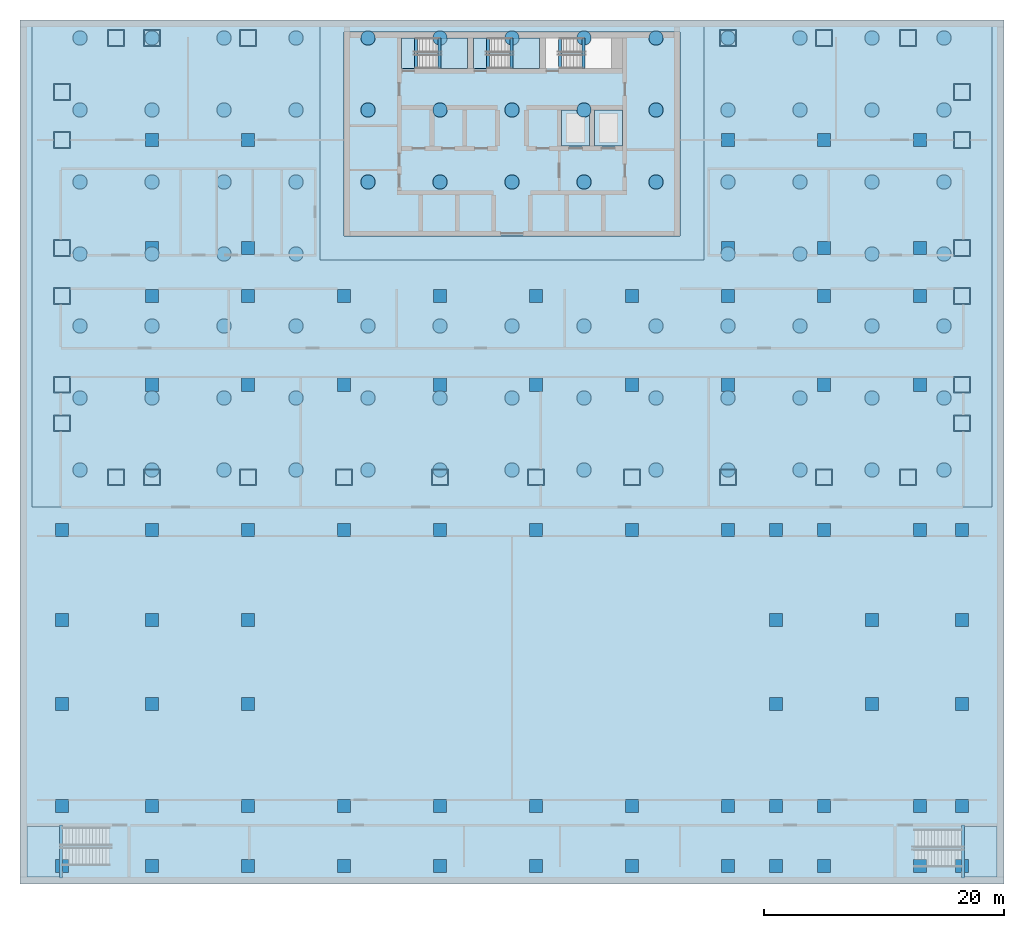
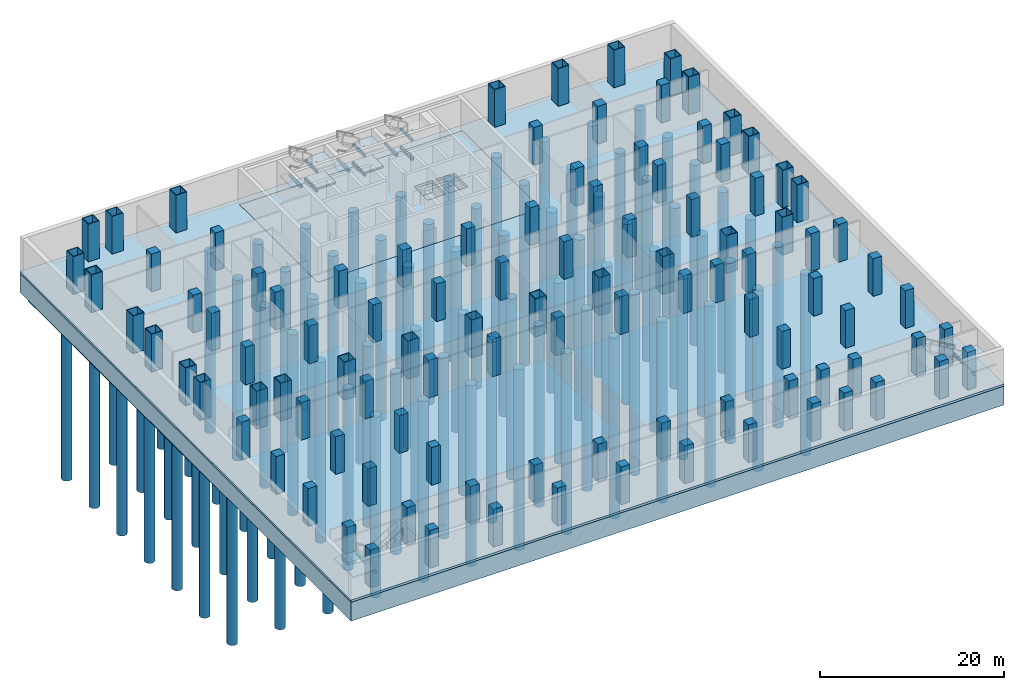
# One storey, part 1 of 14: 104 columns, 86 piles, 11 beams, 10 slabs, 4 footings, 4 elements without a shape of their own.
"""IFC4 building model written with IfcOpenShell, lengths in metres."""

import ifcopenshell
import ifcopenshell.guid

model = None  # the IFC model being written
_history = None  # IfcOwnerHistory: only IFC2X3 demands one
_inside = {}  # id of a spatial element -> (the spatial element, [elements in it])
_under = {}  # id of a project, library or spatial element -> (it, [spatial elements below it])
_declared = {}  # id of a project -> (the project, [libraries it declares])
_typed = {}  # id of a type object -> (the type object, [elements of that type])
_made_of = {}  # id of a material, layer set ... -> (it, [elements and type objects made of it])


def new_model(schema):
    """Start an empty IFC model of exactly this schema.

    Asked for "IFC4X3", IfcOpenShell would pick the latest addendum, in which some entities
    have other attributes; the version numbers below select the first issue.
    IFC2X3 requires an IfcOwnerHistory on every rooted entity: one is made here for all.
    """
    global model, _history
    if schema == "IFC4X3":
        model = ifcopenshell.file(schema_version=(4, 3, 0, 0))
    else:
        model = ifcopenshell.file(schema=schema)
    _inside.clear()
    _under.clear()
    _declared.clear()
    _typed.clear()
    _made_of.clear()
    _history = None
    if model.schema == "IFC2X3":
        org = make("IfcOrganization", Name="unknown")
        user = make(
            "IfcPersonAndOrganization",
            ThePerson=make("IfcPerson", FamilyName="unknown"),
            TheOrganization=org,
        )
        app = make(
            "IfcApplication",
            ApplicationDeveloper=org,
            Version="unknown",
            ApplicationFullName="unknown",
            ApplicationIdentifier="unknown",
        )
        _history = make(
            "IfcOwnerHistory",
            OwningUser=user,
            OwningApplication=app,
            ChangeAction="ADDED",
            CreationDate=0,
        )
    return model


def make(cls, **values):
    """One entity of the class cls with the attributes given. An attribute that is None is left unset."""
    return model.create_entity(
        cls, **{name: value for name, value in values.items() if value is not None}
    )


def rooted(cls, **values):
    """An entity with a GlobalId (a new one), such as an element, a storey or a relation."""
    return make(cls, GlobalId=ifcopenshell.guid.new(), OwnerHistory=_history, **values)


def si_unit(unit_type, name, prefix=None):
    """IfcSIUnit, for example si_unit("LENGTHUNIT", "METRE", prefix="MILLI")."""
    return make("IfcSIUnit", UnitType=unit_type, Prefix=prefix, Name=name)


def assignment(units):
    """IfcUnitAssignment: the units of a project."""
    return None if units is None else make("IfcUnitAssignment", Units=units)


def point(xyz):
    """IfcCartesianPoint."""
    return None if xyz is None else make("IfcCartesianPoint", Coordinates=xyz)


def direction(xyz):
    """IfcDirection."""
    return None if xyz is None else make("IfcDirection", DirectionRatios=xyz)


def frame(location, z_axis=None, x_axis=None):
    """IfcAxis2Placement3D, a coordinate frame: its origin and axes. An axis left out is left unset."""
    return make(
        "IfcAxis2Placement3D",
        Location=point(location),
        Axis=direction(z_axis),
        RefDirection=direction(x_axis),
    )


def frame_2d(location, x_axis=None):
    """IfcAxis2Placement2D, a coordinate frame in the plane: its origin and x axis."""
    return make(
        "IfcAxis2Placement2D", Location=point(location), RefDirection=direction(x_axis)
    )


def origin():
    """The frame at (0, 0, 0) with its axes left unset."""
    return frame((0.0, 0.0, 0.0))


def origin_2d():
    """The frame at (0, 0) in the plane with its x axis left unset."""
    return frame_2d((0.0, 0.0))


def place(relative_to, where):
    """IfcLocalPlacement: puts the frame where relative to a parent placement (None: the world)."""
    return make(
        "IfcLocalPlacement", PlacementRelTo=relative_to, RelativePlacement=where
    )


def context(
    kind, dimensions, precision=None, world=None, true_north=None, identifier=None
):
    """IfcGeometricRepresentationContext, for example the 3D "Model" context."""
    return make(
        "IfcGeometricRepresentationContext",
        ContextIdentifier=identifier,
        ContextType=kind,
        CoordinateSpaceDimension=dimensions,
        Precision=precision,
        WorldCoordinateSystem=world,
        TrueNorth=true_north,
    )


def subcontext(parent, identifier, kind, view, scale=None):
    """IfcGeometricRepresentationSubContext, for example "Body" below "Model"."""
    return make(
        "IfcGeometricRepresentationSubContext",
        ContextIdentifier=identifier,
        ContextType=kind,
        ParentContext=parent,
        TargetScale=scale,
        TargetView=view,
    )


def project(units=None, contexts=None):
    """IfcProject with its units and contexts."""
    return rooted(
        "IfcProject",
        Name="project",
        RepresentationContexts=contexts,
        UnitsInContext=assignment(units),
    )


def spatial(cls, under=None, at=None, **own):
    """A site, building, storey or space (cls), placed at a placement, below another one or the project."""
    s = rooted(cls, ObjectPlacement=at, **own)
    if under is not None:
        _under.setdefault(under.id(), (under, []))[1].append(s)
    return s


def polyline(points):
    """IfcPolyline through the points."""
    return make("IfcPolyline", Points=[point(p) for p in points])


def profile(cls, at=None, kind="AREA", **sizes):
    """A parametric profile (cls). Its sizes go by their IFC names, for example OverallWidth=200.0."""
    return make(cls, ProfileType=kind, Position=at, **sizes)


def rectangle(**sizes):
    """IfcRectangleProfileDef."""
    return profile("IfcRectangleProfileDef", **sizes)


def hollow_rectangle(**sizes):
    """IfcRectangleHollowProfileDef."""
    return profile("IfcRectangleHollowProfileDef", **sizes)


def circle(**sizes):
    """IfcCircleProfileDef."""
    return profile("IfcCircleProfileDef", **sizes)


def outline(outer, holes=None, kind="AREA"):
    """IfcArbitraryClosedProfileDef: a profile drawn as a closed curve; with holes, ...WithVoids."""
    if holes is None:
        return make("IfcArbitraryClosedProfileDef", ProfileType=kind, OuterCurve=outer)
    return make(
        "IfcArbitraryProfileDefWithVoids",
        ProfileType=kind,
        OuterCurve=outer,
        InnerCurves=holes,
    )


def extrude(swept, where, along, depth):
    """IfcExtrudedAreaSolid: the profile swept, set in the frame where, extruded along a direction by depth."""
    return make(
        "IfcExtrudedAreaSolid",
        SweptArea=swept,
        Position=where,
        ExtrudedDirection=direction(along),
        Depth=depth,
    )


def shape(context_of_items, identifier, shape_type, items):
    """IfcShapeRepresentation: the items that make up one representation, for example the "Body"."""
    return make(
        "IfcShapeRepresentation",
        ContextOfItems=context_of_items,
        RepresentationIdentifier=identifier,
        RepresentationType=shape_type,
        Items=items,
    )


def material(Name=None, Category=None):
    """IfcMaterial."""
    return make("IfcMaterial", Name=Name, Category=Category)


def layer(
    of_material, thickness, ventilated=None, Name=None, Category=None, Priority=None
):
    """IfcMaterialLayer: one layer of a wall or slab, of a material (None: an air gap)."""
    return make(
        "IfcMaterialLayer",
        Material=of_material,
        LayerThickness=thickness,
        IsVentilated=ventilated,
        Name=Name,
        Category=Category,
        Priority=Priority,
    )


def layer_set(layers, Name=None):
    """IfcMaterialLayerSet."""
    return make("IfcMaterialLayerSet", MaterialLayers=layers, LayerSetName=Name)


def material_profile(
    of_material, cross_section, Name=None, Category=None, Priority=None
):
    """IfcMaterialProfile: a cross section and its material."""
    return make(
        "IfcMaterialProfile",
        Name=Name,
        Material=of_material,
        Profile=cross_section,
        Priority=Priority,
        Category=Category,
    )


def profile_set(profiles, Name=None, composite=None):
    """IfcMaterialProfileSet."""
    return make(
        "IfcMaterialProfileSet",
        Name=Name,
        MaterialProfiles=profiles,
        CompositeProfile=composite,
    )


def made_of(thing, what):
    """Note that an element or type object is made of a material, layer set ...; save() writes the relation."""
    if what is not None:
        _made_of.setdefault(what.id(), (what, []))[1].append(thing)
    return thing


def type_object(cls, material=None, **own):
    """A type object (cls), such as IfcWallType, which elements share."""
    return made_of(rooted(cls, **own), material)


def element(
    cls,
    number,
    at=None,
    inside=None,
    cuts=None,
    type_object=None,
    material=None,
    context=None,
    identifier="Body",
    shape_type=None,
    held_by="IfcProductDefinitionShape",
    body=None,
    shapes=None,
    **own,
):
    """One element of the class cls, such as IfcWall. Its Tag is "e" and its number.

    at: its placement. inside: the storey or other place that contains it. cuts: it is an
    opening in that element (IfcRelVoidsElement). A single representation is given by context,
    identifier, shape_type and body (its items); several are given by shapes. held_by: the class
    of the entity that holds the representations. save() writes the other relations.
    """
    e = rooted(cls, Tag="e%d" % number, ObjectPlacement=at, **own)
    if body is not None:
        shapes = [shape(context, identifier, shape_type, body)]
    if shapes is not None:
        e.Representation = make(held_by, Representations=shapes)
    if inside is not None:
        _inside.setdefault(inside.id(), (inside, []))[1].append(e)
    if cuts is not None:
        rooted(
            "IfcRelVoidsElement", RelatingBuildingElement=cuts, RelatedOpeningElement=e
        )
    if type_object is not None:
        _typed.setdefault(type_object.id(), (type_object, []))[1].append(e)
    return made_of(e, material)


def aggregate(whole, parts):
    """IfcRelAggregates: a whole, such as a stair, and the parts it consists of."""
    return rooted("IfcRelAggregates", RelatingObject=whole, RelatedObjects=parts)


def save(model, path):
    """Write the relations noted so far, then the file.

    IfcRelAggregates (storeys below a building ...), IfcRelContainedInSpatialStructure (elements
    in a storey), IfcRelDefinesByType, IfcRelAssociatesMaterial and IfcRelDeclares: one each for
    every whole, place, type object, material and project.
    """
    for whole, parts in _under.values():
        aggregate(whole, parts)
    for where, things in _inside.values():
        rooted(
            "IfcRelContainedInSpatialStructure",
            RelatedElements=things,
            RelatingStructure=where,
        )
    for kind, things in _typed.values():
        rooted("IfcRelDefinesByType", RelatedObjects=things, RelatingType=kind)
    for what, things in _made_of.values():
        rooted("IfcRelAssociatesMaterial", RelatedObjects=things, RelatingMaterial=what)
    for by, libraries in _declared.values():
        rooted("IfcRelDeclares", RelatingContext=by, RelatedDefinitions=libraries)
    model.write(path)


model = new_model("IFC4")

# Units and contexts
model_context = context("Model", 3, precision=1e-05, world=origin(), true_north=direction((0.0, 1.0)))
body_context = subcontext(model_context, "Body", "Model", "MODEL_VIEW")
ifc_project = project(units=[si_unit("LENGTHUNIT", "METRE"), si_unit("AREAUNIT", "SQUARE_METRE"), si_unit("VOLUMEUNIT", "CUBIC_METRE"), si_unit("PLANEANGLEUNIT", "RADIAN"), si_unit("MASSUNIT", "GRAM", prefix="KILO")], contexts=[model_context])

# Site, building, storey
site_placement = place(None, origin())
site = spatial("IfcSite", under=ifc_project, at=site_placement, CompositionType="ELEMENT")
building_placement = place(site_placement, origin())
building = spatial("IfcBuilding", under=site, at=building_placement, Name="Vidyagriha Tower", CompositionType="ELEMENT")
storey_placement = place(building_placement, frame((0.0, 0.0, -10.0)))
storey = spatial("IfcBuildingStorey", under=building, at=storey_placement, Name="B2", CompositionType="ELEMENT", Elevation=-10.0)

# Piles
ifc_material_1 = material(Name="Concrete C40/50", Category="concrete")
ifc_material_profile_1 = material_profile(ifc_material_1, circle(Radius=0.60009765625, at=origin_2d()), Name="Bored pile 1200")
ifc_profile_set_1 = profile_set([ifc_material_profile_1], Name="Concrete C40/50")
pile_type = type_object("IfcPileType", Name="Bored pile 1200", PredefinedType="BORED", material=ifc_profile_set_1)
for number, where, z_axis, x_axis, name in (
    (1, (-12.0, 7.5, -5.300048828125), (0.0, 0.0, -1.0), (1.0, 0.0, 0.0), "st-pile-core-001"),
    (2, (-12.0, 13.5, -5.300048828125), (0.0, 0.0, -1.0), (1.0, 0.0, 0.0), "st-pile-core-002"),
    (3, (-12.0, 19.5, -5.300048828125), (0.0, 0.0, -1.0), (1.0, 0.0, 0.0), "st-pile-core-003"),
    (4, (-6.0, 7.5, -5.300048828125), (0.0, 0.0, -1.0), (1.0, 0.0, 0.0), "st-pile-core-004"),
    (5, (-6.0, 13.5, -5.300048828125), (0.0, 0.0, -1.0), (1.0, 0.0, 0.0), "st-pile-core-005"),
    (6, (-6.0, 19.5, -5.300048828125), (0.0, 0.0, -1.0), (1.0, 0.0, 0.0), "st-pile-core-006"),
    (7, (0.0, 7.5, -5.300048828125), (0.0, 0.0, -1.0), (1.0, 0.0, 0.0), "st-pile-core-007"),
    (8, (0.0, 13.5, -5.300048828125), (0.0, 0.0, -1.0), (1.0, 0.0, 0.0), "st-pile-core-008"),
    (9, (0.0, 19.5, -5.300048828125), (0.0, 0.0, -1.0), (1.0, 0.0, 0.0), "st-pile-core-009"),
    (10, (6.0, 7.5, -5.300048828125), (0.0, 0.0, -1.0), (1.0, 0.0, 0.0), "st-pile-core-010"),
    (11, (6.0, 13.5, -5.300048828125), (0.0, 0.0, -1.0), (1.0, 0.0, 0.0), "st-pile-core-011"),
    (12, (6.0, 19.5, -5.300048828125), (0.0, 0.0, -1.0), (1.0, 0.0, 0.0), "st-pile-core-012"),
    (13, (12.0, 7.5, -5.300048828125), (0.0, 0.0, -1.0), (1.0, 0.0, 0.0), "st-pile-core-013"),
    (14, (12.0, 13.5, -5.300048828125), (0.0, 0.0, -1.0), (1.0, 0.0, 0.0), "st-pile-core-014"),
    (15, (12.0, 19.5, -5.300048828125), (0.0, 0.0, -1.0), (1.0, 0.0, 0.0), "st-pile-core-015"),
    (16, (-36.0, -16.5, -4.300048828125), (0.0, 0.0, -1.0), (1.0, 0.0, 0.0), "st-pile-tower-016"),
    (17, (-36.0, -10.5, -4.300048828125), (0.0, 0.0, -1.0), (1.0, 0.0, 0.0), "st-pile-tower-017"),
    (18, (-36.0, -4.5, -4.300048828125), (0.0, 0.0, -1.0), (1.0, 0.0, 0.0), "st-pile-tower-018"),
    (19, (-36.0, 1.5, -4.300048828125), (0.0, 0.0, -1.0), (1.0, 0.0, 0.0), "st-pile-tower-019"),
    (20, (-36.0, 7.5, -4.300048828125), (0.0, 0.0, -1.0), (1.0, 0.0, 0.0), "st-pile-tower-020"),
    (21, (-36.0, 13.5, -4.300048828125), (0.0, 0.0, -1.0), (1.0, 0.0, 0.0), "st-pile-tower-021"),
    (22, (-36.0, 19.5, -4.300048828125), (0.0, 0.0, -1.0), (1.0, 0.0, 0.0), "st-pile-tower-022"),
    (23, (-30.0, -16.5, -4.300048828125), (0.0, 0.0, -1.0), (1.0, 0.0, 0.0), "st-pile-tower-023"),
    (24, (-30.0, -10.5, -4.300048828125), (0.0, 0.0, -1.0), (1.0, 0.0, 0.0), "st-pile-tower-024"),
    (25, (-30.0, -4.5, -4.300048828125), (0.0, 0.0, -1.0), (1.0, 0.0, 0.0), "st-pile-tower-025"),
    (26, (-30.0, 1.5, -4.300048828125), (0.0, 0.0, -1.0), (1.0, 0.0, 0.0), "st-pile-tower-026"),
    (27, (-30.0, 7.5, -4.300048828125), (0.0, 0.0, -1.0), (1.0, 0.0, 0.0), "st-pile-tower-027"),
    (28, (-30.0, 13.5, -4.300048828125), (0.0, 0.0, -1.0), (1.0, 0.0, 0.0), "st-pile-tower-028"),
    (29, (-30.0, 19.5, -4.300048828125), (0.0, 0.0, -1.0), (1.0, 0.0, 0.0), "st-pile-tower-029"),
    (30, (-24.0, -16.5, -4.300048828125), (0.0, 0.0, -1.0), (1.0, 0.0, 0.0), "st-pile-tower-030"),
    (31, (-24.0, -10.5, -4.300048828125), (0.0, 0.0, -1.0), (1.0, 0.0, 0.0), "st-pile-tower-031"),
    (32, (-24.0, -4.5, -4.300048828125), (0.0, 0.0, -1.0), (1.0, 0.0, 0.0), "st-pile-tower-032"),
    (33, (-24.0, 1.5, -4.300048828125), (0.0, 0.0, -1.0), (1.0, 0.0, 0.0), "st-pile-tower-033"),
    (34, (-24.0, 7.5, -4.300048828125), (0.0, 0.0, -1.0), (1.0, 0.0, 0.0), "st-pile-tower-034"),
    (35, (-24.0, 13.5, -4.300048828125), (0.0, 0.0, -1.0), (1.0, 0.0, 0.0), "st-pile-tower-035"),
    (36, (-24.0, 19.5, -4.300048828125), (0.0, 0.0, -1.0), (1.0, 0.0, 0.0), "st-pile-tower-036"),
    (37, (-18.0, -16.5, -4.300048828125), (0.0, 0.0, -1.0), (1.0, 0.0, 0.0), "st-pile-tower-037"),
    (38, (-18.0, -10.5, -4.300048828125), (0.0, 0.0, -1.0), (1.0, 0.0, 0.0), "st-pile-tower-038"),
    (39, (-18.0, -4.5, -4.300048828125), (0.0, 0.0, -1.0), (1.0, 0.0, 0.0), "st-pile-tower-039"),
    (40, (-18.0, 1.5, -4.300048828125), (0.0, 0.0, -1.0), (1.0, 0.0, 0.0), "st-pile-tower-040"),
    (41, (-18.0, 7.5, -4.300048828125), (0.0, 0.0, -1.0), (1.0, 0.0, 0.0), "st-pile-tower-041"),
    (42, (-18.0, 13.5, -4.300048828125), (0.0, 0.0, -1.0), (1.0, 0.0, 0.0), "st-pile-tower-042"),
    (43, (-18.0, 19.5, -4.300048828125), (0.0, 0.0, -1.0), (1.0, 0.0, 0.0), "st-pile-tower-043"),
    (44, (-12.0, -16.5, -4.300048828125), (0.0, 0.0, -1.0), (1.0, 0.0, 0.0), "st-pile-tower-044"),
    (45, (-12.0, -10.5, -4.300048828125), (0.0, 0.0, -1.0), (1.0, 0.0, 0.0), "st-pile-tower-045"),
    (46, (-12.0, -4.5, -4.300048828125), (0.0, 0.0, -1.0), (1.0, 0.0, 0.0), "st-pile-tower-046"),
    (47, (-6.0, -16.5, -4.300048828125), (0.0, 0.0, -1.0), (1.0, 0.0, 0.0), "st-pile-tower-047"),
    (48, (-6.0, -10.5, -4.300048828125), (0.0, 0.0, -1.0), (1.0, 0.0, 0.0), "st-pile-tower-048"),
    (49, (-6.0, -4.5, -4.300048828125), (0.0, 0.0, -1.0), (1.0, 0.0, 0.0), "st-pile-tower-049"),
    (50, (0.0, -16.5, -4.300048828125), (0.0, 0.0, -1.0), (1.0, 0.0, 0.0), "st-pile-tower-050"),
    (51, (0.0, -10.5, -4.300048828125), (0.0, 0.0, -1.0), (1.0, 0.0, 0.0), "st-pile-tower-051"),
    (52, (0.0, -4.5, -4.300048828125), (0.0, 0.0, -1.0), (1.0, 0.0, 0.0), "st-pile-tower-052"),
    (53, (6.0, -16.5, -4.300048828125), (0.0, 0.0, -1.0), (1.0, 0.0, 0.0), "st-pile-tower-053"),
    (54, (6.0, -10.5, -4.300048828125), (0.0, 0.0, -1.0), (1.0, 0.0, 0.0), "st-pile-tower-054"),
    (55, (6.0, -4.5, -4.300048828125), (0.0, 0.0, -1.0), (1.0, 0.0, 0.0), "st-pile-tower-055"),
    (56, (12.0, -16.5, -4.300048828125), (0.0, 0.0, -1.0), (1.0, 0.0, 0.0), "st-pile-tower-056"),
    (57, (12.0, -10.5, -4.300048828125), (0.0, 0.0, -1.0), (1.0, 0.0, 0.0), "st-pile-tower-057"),
    (58, (12.0, -4.5, -4.300048828125), (0.0, 0.0, -1.0), (1.0, 0.0, 0.0), "st-pile-tower-058"),
    (59, (18.0, -16.5, -4.300048828125), (0.0, 0.0, -1.0), (1.0, 0.0, 0.0), "st-pile-tower-059"),
    (60, (18.0, -10.5, -4.300048828125), (0.0, 0.0, -1.0), (1.0, 0.0, 0.0), "st-pile-tower-060"),
    (61, (18.0, -4.5, -4.300048828125), (0.0, 0.0, -1.0), (1.0, 0.0, 0.0), "st-pile-tower-061"),
    (62, (18.0, 1.5, -4.300048828125), (0.0, 0.0, -1.0), (1.0, 0.0, 0.0), "st-pile-tower-062"),
    (63, (18.0, 7.5, -4.300048828125), (0.0, 0.0, -1.0), (1.0, 0.0, 0.0), "st-pile-tower-063"),
    (64, (18.0, 13.5, -4.300048828125), (0.0, 0.0, -1.0), (1.0, 0.0, 0.0), "st-pile-tower-064"),
    (65, (18.0, 19.5, -4.300048828125), (0.0, 0.0, -1.0), (1.0, 0.0, 0.0), "st-pile-tower-065"),
    (66, (24.0, -16.5, -4.300048828125), (0.0, 0.0, -1.0), (1.0, 0.0, 0.0), "st-pile-tower-066"),
    (67, (24.0, -10.5, -4.300048828125), (0.0, 0.0, -1.0), (1.0, 0.0, 0.0), "st-pile-tower-067"),
    (68, (24.0, -4.5, -4.300048828125), (0.0, 0.0, -1.0), (1.0, 0.0, 0.0), "st-pile-tower-068"),
    (69, (24.0, 1.5, -4.300048828125), (0.0, 0.0, -1.0), (1.0, 0.0, 0.0), "st-pile-tower-069"),
    (70, (24.0, 7.5, -4.300048828125), (0.0, 0.0, -1.0), (1.0, 0.0, 0.0), "st-pile-tower-070"),
    (71, (24.0, 13.5, -4.300048828125), (0.0, 0.0, -1.0), (1.0, 0.0, 0.0), "st-pile-tower-071"),
    (72, (24.0, 19.5, -4.300048828125), (0.0, 0.0, -1.0), (1.0, 0.0, 0.0), "st-pile-tower-072"),
    (73, (30.0, -16.5, -4.300048828125), (0.0, 0.0, -1.0), (1.0, 0.0, 0.0), "st-pile-tower-073"),
    (74, (30.0, -10.5, -4.300048828125), (0.0, 0.0, -1.0), (1.0, 0.0, 0.0), "st-pile-tower-074"),
    (75, (30.0, -4.5, -4.300048828125), (0.0, 0.0, -1.0), (1.0, 0.0, 0.0), "st-pile-tower-075"),
    (76, (30.0, 1.5, -4.300048828125), (0.0, 0.0, -1.0), (1.0, 0.0, 0.0), "st-pile-tower-076"),
    (77, (30.0, 7.5, -4.300048828125), (0.0, 0.0, -1.0), (1.0, 0.0, 0.0), "st-pile-tower-077"),
    (78, (30.0, 13.5, -4.300048828125), (0.0, 0.0, -1.0), (1.0, 0.0, 0.0), "st-pile-tower-078"),
    (79, (30.0, 19.5, -4.300048828125), (0.0, 0.0, -1.0), (1.0, 0.0, 0.0), "st-pile-tower-079"),
    (80, (36.0, -16.5, -4.300048828125), (0.0, 0.0, -1.0), (1.0, 0.0, 0.0), "st-pile-tower-080"),
    (81, (36.0, -10.5, -4.300048828125), (0.0, 0.0, -1.0), (1.0, 0.0, 0.0), "st-pile-tower-081"),
    (82, (36.0, -4.5, -4.300048828125), (0.0, 0.0, -1.0), (1.0, 0.0, 0.0), "st-pile-tower-082"),
    (83, (36.0, 1.5, -4.300048828125), (0.0, 0.0, -1.0), (1.0, 0.0, 0.0), "st-pile-tower-083"),
    (84, (36.0, 7.5, -4.300048828125), (0.0, 0.0, -1.0), (1.0, 0.0, 0.0), "st-pile-tower-084"),
    (85, (36.0, 13.5, -4.300048828125), (0.0, 0.0, -1.0), (1.0, 0.0, 0.0), "st-pile-tower-085"),
    (86, (36.0, 19.5, -4.300048828125), (0.0, 0.0, -1.0), (1.0, 0.0, 0.0), "st-pile-tower-086"),
):
    element("IfcPile", number, at=place(storey_placement, frame(where, z_axis=z_axis, x_axis=x_axis)), inside=storey, type_object=pile_type, Name=name, PredefinedType="BORED", context=body_context, shape_type="SweptSolid", body=[
        extrude(circle(Radius=0.60009765625, at=origin_2d()), origin(), (0.0, 0.0, 1.0), 24.0),
    ])

# Footings
ifc_material_2 = material(Name="Concrete C40/50", Category="concrete")
ifc_layer_1 = layer(ifc_material_2, 1.300048828125)
ifc_layer_set_1 = layer_set([ifc_layer_1], Name="Concrete C40/50")
footing_type_1 = type_object("IfcFootingType", Name="Mat foundation 1300 core pit zone", PredefinedType="PAD_FOOTING", material=ifc_layer_set_1)
footing_1_placement = place(storey_placement, frame((0.0, 0.0, -1.60009765625)))
element("IfcFooting", 87, at=footing_1_placement, inside=storey, type_object=footing_type_1, Name="st-raft-coreb-1", PredefinedType="PAD_FOOTING", context=body_context, shape_type="SweptSolid", body=[
    extrude(outline(polyline([(-16.0, 1.0), (-16.0, 21.0), (16.0, 21.0), (16.0, 1.0), (-16.0, 1.0)]), holes=[polyline([(6.466796875, 10.5), (6.466796875, 13.5), (4.13330078125, 13.5), (4.13330078125, 10.5), (6.466796875, 10.5)]), polyline([(9.199951171875, 10.5), (9.199951171875, 13.5), (6.86669921875, 13.5), (6.86669921875, 10.5), (9.199951171875, 10.5)])]), origin(), (0.0, 0.0, 1.0), 1.300048828125),
])
ifc_material_3 = material(Name="Concrete C40/50", Category="concrete")
ifc_layer_2 = layer(ifc_material_3, 2.5)
ifc_layer_set_2 = layer_set([ifc_layer_2], Name="Concrete C40/50")
footing_type_2 = type_object("IfcFootingType", Name="Mat foundation 2500 apron zone", PredefinedType="PAD_FOOTING", material=ifc_layer_set_2)
footing_2_placement = place(storey_placement, frame((0.0, 0.0, -2.800048828125)))
element("IfcFooting", 88, at=footing_2_placement, inside=storey, type_object=footing_type_2, Name="st-raft-apron-1", PredefinedType="PAD_FOOTING", context=body_context, shape_type="SweptSolid", body=[
    extrude(outline(polyline([(41.0, 21.0), (41.0, -51.0), (-41.0, -51.0), (-41.0, 21.0), (-40.0, 21.0), (-40.0, -19.60009765625), (40.0, -19.60009765625), (40.0, 21.0), (41.0, 21.0)])), origin(), (0.0, 0.0, 1.0), 2.5),
])
ifc_material_4 = material(Name="Concrete C40/50", Category="concrete")
ifc_layer_3 = layer(ifc_material_4, 3.699951171875)
ifc_layer_set_3 = layer_set([ifc_layer_3], Name="Concrete C40/50")
footing_type_3 = type_object("IfcFootingType", Name="Mat foundation 3700 core lower zone", PredefinedType="PAD_FOOTING", material=ifc_layer_set_3)
footing_3_placement = place(storey_placement, frame((0.0, 0.0, -5.300048828125)))
element("IfcFooting", 89, at=footing_3_placement, inside=storey, type_object=footing_type_3, Name="st-raft-corea-1", PredefinedType="PAD_FOOTING", context=body_context, shape_type="SweptSolid", body=[
    extrude(outline(polyline([(16.0, 1.0), (-16.0, 1.0), (-16.0, 21.0), (16.0, 21.0), (16.0, 1.0)])), origin(), (0.0, 0.0, 1.0), 3.699951171875),
])
ifc_material_5 = material(Name="Concrete C40/50", Category="concrete")
ifc_layer_4 = layer(ifc_material_5, 4.0)
ifc_layer_set_4 = layer_set([ifc_layer_4], Name="Concrete C40/50")
footing_type_4 = type_object("IfcFootingType", Name="Mat foundation 4000 tower zone", PredefinedType="PAD_FOOTING", material=ifc_layer_set_4)
footing_4_placement = place(storey_placement, frame((0.0, 0.0, -4.300048828125)))
element("IfcFooting", 90, at=footing_4_placement, inside=storey, type_object=footing_type_4, Name="st-raft-tower-1", PredefinedType="PAD_FOOTING", context=body_context, shape_type="SweptSolid", body=[
    extrude(outline(polyline([(40.0, -19.60009765625), (-40.0, -19.60009765625), (-40.0, 21.0), (-16.0, 21.0), (-16.0, 1.0), (16.0, 1.0), (16.0, 21.0), (40.0, 21.0), (40.0, -19.60009765625)])), origin(), (0.0, 0.0, 1.0), 4.0),
])

# Columns
ifc_material_6 = material(Name="Steel ASTM A572 Grade 50", Category="steel")
ifc_material_profile_2 = material_profile(ifc_material_6, hollow_rectangle(XDim=1.39990234375, YDim=1.39990234375, WallThickness=0.080078125, at=origin_2d()), Name="BOX 1400x1400x80")
ifc_profile_set_2 = profile_set([ifc_material_profile_2], Name="Steel ASTM A572 Grade 50")
column_type_1 = type_object("IfcColumnType", Name="Exoskeleton column BOX 1400x1400x80", PredefinedType="COLUMN", material=ifc_profile_set_2)
for number, where, name in (
    (91, (-33.0, -17.10009765625, -0.300048828125), "st-col-B2-B1-001"),
    (92, (-30.0, -17.10009765625, -0.300048828125), "st-col-B2-B1-002"),
    (93, (-22.0, -17.10009765625, -0.300048828125), "st-col-B2-B1-003"),
    (94, (-14.0, -17.10009765625, -0.300048828125), "st-col-B2-B1-004"),
    (95, (-6.0, -17.10009765625, -0.300048828125), "st-col-B2-B1-005"),
    (96, (2.0, -17.10009765625, -0.300048828125), "st-col-B2-B1-006"),
    (97, (10.0, -17.10009765625, -0.300048828125), "st-col-B2-B1-007"),
    (98, (18.0, -17.10009765625, -0.300048828125), "st-col-B2-B1-008"),
    (99, (26.0, -17.10009765625, -0.300048828125), "st-col-B2-B1-009"),
    (100, (33.0, -17.10009765625, -0.300048828125), "st-col-B2-B1-010"),
    (101, (-37.5, -12.60009765625, -0.300048828125), "st-col-B2-B1-011"),
    (102, (37.5, -12.60009765625, -0.300048828125), "st-col-B2-B1-012"),
    (103, (-37.5, -9.39990234375, -0.300048828125), "st-col-B2-B1-013"),
    (104, (37.5, -9.39990234375, -0.300048828125), "st-col-B2-B1-023"),
    (105, (-37.5, -2.0, -0.300048828125), "st-col-B2-B1-024"),
    (106, (37.5, -2.0, -0.300048828125), "st-col-B2-B1-034"),
    (107, (-37.5, 2.0, -0.300048828125), "st-col-B2-B1-035"),
    (108, (37.5, 2.0, -0.300048828125), "st-col-B2-B1-041"),
    (109, (-37.5, 11.0, -0.300048828125), "st-col-B2-B1-042"),
    (110, (37.5, 11.0, -0.300048828125), "st-col-B2-B1-048"),
    (111, (-37.5, 15.0, -0.300048828125), "st-col-B2-B1-049"),
    (112, (37.5, 15.0, -0.300048828125), "st-col-B2-B1-050"),
    (113, (-33.0, 19.5, -0.300048828125), "st-col-B2-B1-051"),
    (114, (-30.0, 19.5, -0.300048828125), "st-col-B2-B1-052"),
    (115, (-22.0, 19.5, -0.300048828125), "st-col-B2-B1-053"),
    (116, (18.0, 19.5, -0.300048828125), "st-col-B2-B1-054"),
    (117, (26.0, 19.5, -0.300048828125), "st-col-B2-B1-055"),
    (118, (33.0, 19.5, -0.300048828125), "st-col-B2-B1-056"),
):
    element("IfcColumn", number, at=place(storey_placement, frame(where)), inside=storey, type_object=column_type_1, Name=name, PredefinedType="COLUMN", context=body_context, shape_type="SweptSolid", body=[
        extrude(hollow_rectangle(XDim=1.39990234375, YDim=1.39990234375, WallThickness=0.080078125, at=origin_2d()), origin(), (0.0, 0.0, 1.0), 5.300048828125),
    ])
ifc_material_7 = material(Name="Concrete C80/95", Category="concrete")
ifc_material_profile_3 = material_profile(ifc_material_7, rectangle(XDim=1.10009765625, YDim=1.10009765625, at=origin_2d()), Name="RC 1100x1100")
ifc_profile_set_3 = profile_set([ifc_material_profile_3], Name="Concrete C80/95")
column_type_2 = type_object("IfcColumnType", Name="Frame column RC 1100x1100", PredefinedType="COLUMN", material=ifc_profile_set_3)
for number, where, name in (
    (119, (-30.0, -9.39990234375, -0.300048828125), "st-col-B2-B1-014"),
    (120, (-22.0, -9.39990234375, -0.300048828125), "st-col-B2-B1-015"),
    (121, (-14.0, -9.39990234375, -0.300048828125), "st-col-B2-B1-016"),
    (122, (-6.0, -9.39990234375, -0.300048828125), "st-col-B2-B1-017"),
    (123, (2.0, -9.39990234375, -0.300048828125), "st-col-B2-B1-018"),
    (124, (10.0, -9.39990234375, -0.300048828125), "st-col-B2-B1-019"),
    (125, (18.0, -9.39990234375, -0.300048828125), "st-col-B2-B1-020"),
    (126, (26.0, -9.39990234375, -0.300048828125), "st-col-B2-B1-021"),
    (127, (34.0, -9.39990234375, -0.300048828125), "st-col-B2-B1-022"),
    (128, (-30.0, -2.0, -0.300048828125), "st-col-B2-B1-025"),
    (129, (-22.0, -2.0, -0.300048828125), "st-col-B2-B1-026"),
    (130, (-14.0, -2.0, -0.300048828125), "st-col-B2-B1-027"),
    (131, (-6.0, -2.0, -0.300048828125), "st-col-B2-B1-028"),
    (132, (2.0, -2.0, -0.300048828125), "st-col-B2-B1-029"),
    (133, (10.0, -2.0, -0.300048828125), "st-col-B2-B1-030"),
    (134, (18.0, -2.0, -0.300048828125), "st-col-B2-B1-031"),
    (135, (26.0, -2.0, -0.300048828125), "st-col-B2-B1-032"),
    (136, (34.0, -2.0, -0.300048828125), "st-col-B2-B1-033"),
    (137, (-30.0, 2.0, -0.300048828125), "st-col-B2-B1-036"),
    (138, (-22.0, 2.0, -0.300048828125), "st-col-B2-B1-037"),
    (139, (18.0, 2.0, -0.300048828125), "st-col-B2-B1-038"),
    (140, (26.0, 2.0, -0.300048828125), "st-col-B2-B1-039"),
    (141, (34.0, 2.0, -0.300048828125), "st-col-B2-B1-040"),
    (142, (-30.0, 11.0, -0.300048828125), "st-col-B2-B1-043"),
    (143, (-22.0, 11.0, -0.300048828125), "st-col-B2-B1-044"),
    (144, (18.0, 11.0, -0.300048828125), "st-col-B2-B1-045"),
    (145, (26.0, 11.0, -0.300048828125), "st-col-B2-B1-046"),
    (146, (34.0, 11.0, -0.300048828125), "st-col-B2-B1-047"),
):
    element("IfcColumn", number, at=place(storey_placement, frame(where)), inside=storey, type_object=column_type_2, Name=name, PredefinedType="COLUMN", context=body_context, shape_type="SweptSolid", body=[
        extrude(rectangle(XDim=1.10009765625, YDim=1.10009765625, at=origin_2d()), origin(), (0.0, 0.0, 1.0), 5.300048828125),
    ])
ifc_material_8 = material(Name="Concrete C80/95", Category="concrete")
ifc_material_profile_4 = material_profile(ifc_material_8, rectangle(XDim=1.10009765625, YDim=1.10009765625, at=origin_2d()), Name="RC 1100x1100")
ifc_profile_set_4 = profile_set([ifc_material_profile_4], Name="Concrete C80/95")
column_type_3 = type_object("IfcColumnType", Name="Podium column RC 1100x1100", PredefinedType="COLUMN", material=ifc_profile_set_4)
for number, where, name in (
    (147, (-37.5, -49.5, -0.300048828125), "st-col-B2-P-057"),
    (148, (-30.0, -49.5, -0.300048828125), "st-col-B2-P-058"),
    (149, (-22.0, -49.5, -0.300048828125), "st-col-B2-P-059"),
    (150, (-14.0, -49.5, -0.300048828125), "st-col-B2-P-060"),
    (151, (-6.0, -49.5, -0.300048828125), "st-col-B2-P-061"),
    (152, (2.0, -49.5, -0.300048828125), "st-col-B2-P-062"),
    (153, (10.0, -49.5, -0.300048828125), "st-col-B2-P-063"),
    (154, (18.0, -49.5, -0.300048828125), "st-col-B2-P-064"),
    (155, (22.0, -49.5, -0.300048828125), "st-col-B2-P-065"),
    (156, (26.0, -49.5, -0.300048828125), "st-col-B2-P-066"),
    (157, (34.0, -49.5, -0.300048828125), "st-col-B2-P-067"),
    (158, (37.5, -49.5, -0.300048828125), "st-col-B2-P-068"),
    (159, (-37.5, -44.5, -0.300048828125), "st-col-B2-P-069"),
    (160, (-30.0, -44.5, -0.300048828125), "st-col-B2-P-070"),
    (161, (-22.0, -44.5, -0.300048828125), "st-col-B2-P-071"),
    (162, (-14.0, -44.5, -0.300048828125), "st-col-B2-P-072"),
    (163, (-6.0, -44.5, -0.300048828125), "st-col-B2-P-073"),
    (164, (2.0, -44.5, -0.300048828125), "st-col-B2-P-074"),
    (165, (10.0, -44.5, -0.300048828125), "st-col-B2-P-075"),
    (166, (18.0, -44.5, -0.300048828125), "st-col-B2-P-076"),
    (167, (22.0, -44.5, -0.300048828125), "st-col-B2-P-077"),
    (168, (26.0, -44.5, -0.300048828125), "st-col-B2-P-078"),
    (169, (34.0, -44.5, -0.300048828125), "st-col-B2-P-079"),
    (170, (37.5, -44.5, -0.300048828125), "st-col-B2-P-080"),
    (171, (-37.5, -36.0, -0.300048828125), "st-col-B2-P-081"),
    (172, (-30.0, -36.0, -0.300048828125), "st-col-B2-P-082"),
    (173, (-22.0, -36.0, -0.300048828125), "st-col-B2-P-083"),
    (174, (22.0, -36.0, -0.300048828125), "st-col-B2-P-084"),
    (175, (30.0, -36.0, -0.300048828125), "st-col-B2-P-085"),
    (176, (37.5, -36.0, -0.300048828125), "st-col-B2-P-086"),
    (177, (-37.5, -29.0, -0.300048828125), "st-col-B2-P-087"),
    (178, (-30.0, -29.0, -0.300048828125), "st-col-B2-P-088"),
    (179, (-22.0, -29.0, -0.300048828125), "st-col-B2-P-089"),
    (180, (22.0, -29.0, -0.300048828125), "st-col-B2-P-090"),
    (181, (30.0, -29.0, -0.300048828125), "st-col-B2-P-091"),
    (182, (37.5, -29.0, -0.300048828125), "st-col-B2-P-092"),
    (183, (-37.5, -21.5, -0.300048828125), "st-col-B2-P-093"),
    (184, (-30.0, -21.5, -0.300048828125), "st-col-B2-P-094"),
    (185, (-22.0, -21.5, -0.300048828125), "st-col-B2-P-095"),
    (186, (-14.0, -21.5, -0.300048828125), "st-col-B2-P-096"),
    (187, (-6.0, -21.5, -0.300048828125), "st-col-B2-P-097"),
    (188, (2.0, -21.5, -0.300048828125), "st-col-B2-P-098"),
    (189, (10.0, -21.5, -0.300048828125), "st-col-B2-P-099"),
    (190, (18.0, -21.5, -0.300048828125), "st-col-B2-P-100"),
    (191, (22.0, -21.5, -0.300048828125), "st-col-B2-P-101"),
    (192, (26.0, -21.5, -0.300048828125), "st-col-B2-P-102"),
    (193, (34.0, -21.5, -0.300048828125), "st-col-B2-P-103"),
    (194, (37.5, -21.5, -0.300048828125), "st-col-B2-P-104"),
):
    element("IfcColumn", number, at=place(storey_placement, frame(where)), inside=storey, type_object=column_type_3, Name=name, PredefinedType="COLUMN", context=body_context, shape_type="SweptSolid", body=[
        extrude(rectangle(XDim=1.10009765625, YDim=1.10009765625, at=origin_2d()), origin(), (0.0, 0.0, 1.0), 5.300048828125),
    ])

# Beams
ifc_material_9 = material(Name="Concrete C40/50", Category="concrete")
ifc_material_profile_5 = material_profile(ifc_material_9, rectangle(XDim=0.25, YDim=0.300048828125, at=origin_2d()), Name="Stair landing bearing beam 250x300")
ifc_profile_set_5 = profile_set([ifc_material_profile_5], Name="Concrete C40/50")
beam_type = type_object("IfcBeamType", Name="Stair landing bearing beam 250x300", PredefinedType="BEAM", material=ifc_profile_set_5)
for number, where, z_axis, x_axis, name in (
    (195, (-6.02490234375, 16.949951171875, 0.89990234375), (0.0, 1.0, 0.0), (-1.0, 0.0, 0.0), "ST1 landing bearing beam B2"),
    (196, (-8.014892578125, 16.949951171875, 2.14990234375), (0.0, 1.0, 0.0), (-1.0, 0.0, 0.0), "ST1 landing bearing beam B2"),
    (197, (-6.02490234375, 16.949951171875, 3.39990234375), (0.0, 1.0, 0.0), (-1.0, 0.0, 0.0), "ST1 landing bearing beam B2"),
    (198, (-0.02490234375, 16.949951171875, 0.89990234375), (0.0, 1.0, 0.0), (-1.0, 0.0, 0.0), "ST2 landing bearing beam B2"),
    (199, (-2.014892578125, 16.949951171875, 2.14990234375), (0.0, 1.0, 0.0), (-1.0, 0.0, 0.0), "ST2 landing bearing beam B2"),
    (200, (-0.02490234375, 16.949951171875, 3.39990234375), (0.0, 1.0, 0.0), (-1.0, 0.0, 0.0), "ST2 landing bearing beam B2"),
    (201, (5.97509765625, 16.949951171875, 0.89990234375), (0.0, 1.0, 0.0), (-1.0, 0.0, 0.0), "ST3 landing bearing beam B2"),
    (202, (3.985107421875, 16.949951171875, 2.14990234375), (0.0, 1.0, 0.0), (-1.0, 0.0, 0.0), "ST3 landing bearing beam B2"),
    (203, (5.97509765625, 16.949951171875, 3.39990234375), (0.0, 1.0, 0.0), (-1.0, 0.0, 0.0), "ST3 landing bearing beam B2"),
):
    element("IfcBeam", number, at=place(storey_placement, frame(where, z_axis=z_axis, x_axis=x_axis)), inside=storey, type_object=beam_type, Name=name, PredefinedType="BEAM", context=body_context, shape_type="SweptSolid", body=[
        extrude(rectangle(XDim=0.25, YDim=0.300048828125, at=origin_2d()), origin(), (0.0, 0.0, 1.0), 2.550048828125),
    ])
for number, where, z_axis, x_axis, name in (
    (204, (-37.60009765625, -50.5, 2.14990234375), (0.0, 1.0, 0.0), (-1.0, 0.0, 0.0), "PS1 landing bearing beam B2"),
    (205, (37.60009765625, -50.5, 2.14990234375), (0.0, 1.0, 0.0), (-1.0, 0.0, 0.0), "PS2 landing bearing beam B2"),
):
    element("IfcBeam", number, at=place(storey_placement, frame(where, z_axis=z_axis, x_axis=x_axis)), inside=storey, type_object=beam_type, Name=name, PredefinedType="BEAM", context=body_context, shape_type="SweptSolid", body=[
        extrude(rectangle(XDim=0.25, YDim=0.300048828125, at=origin_2d()), origin(), (0.0, 0.0, 1.0), 4.39990234375),
    ])

# Slabs
ifc_material_10 = material(Name="Concrete C50/60", Category="concrete")
ifc_layer_5 = layer(ifc_material_10, 0.300048828125)
ifc_layer_set_5 = layer_set([ifc_layer_5], Name="Concrete C50/60")
slab_type_1 = type_object("IfcSlabType", Name="Basement slab 300", PredefinedType="BASESLAB", material=ifc_layer_set_5)
slab_1_placement = place(storey_placement, frame((0.0, 0.0, -0.300048828125)))
element("IfcSlab", 206, at=slab_1_placement, inside=storey, type_object=slab_type_1, Name="st-slab-B2-1", PredefinedType="BASESLAB", context=body_context, shape_type="SweptSolid", body=[
    extrude(outline(polyline([(-41.0, -51.0), (-41.0, 21.0), (41.0, 21.0), (41.0, -51.0), (-41.0, -51.0)]), holes=[polyline([(14.0, 20.0), (-14.0, 20.0), (-14.0, 3.0), (14.0, 3.0), (14.0, 20.0)])]), origin(), (0.0, 0.0, 1.0), 0.300048828125),
])
ifc_material_11 = material(Name="Concrete C60/75", Category="concrete")
ifc_layer_6 = layer(ifc_material_11, 0.300048828125)
ifc_layer_set_6 = layer_set([ifc_layer_6], Name="Concrete C60/75")
slab_type_2 = type_object("IfcSlabType", Name="Core floor slab 300 mm", PredefinedType="FLOOR", material=ifc_layer_set_6)
slab_2_placement = place(storey_placement, frame((0.0, 0.0, -0.300048828125)))
element("IfcSlab", 207, at=slab_2_placement, inside=storey, type_object=slab_type_2, Name="B2 core floor 1", PredefinedType="FLOOR", context=body_context, shape_type="SweptSolid", body=[
    extrude(outline(polyline([(-14.0, 3.0), (-14.0, 20.0), (14.0, 20.0), (14.0, 3.0), (-14.0, 3.0)]), holes=[polyline([(9.199951171875, 10.5), (9.199951171875, 13.5), (6.86669921875, 13.5), (6.86669921875, 10.5), (9.199951171875, 10.5)]), polyline([(6.466796875, 10.5), (6.466796875, 13.5), (4.13330078125, 13.5), (4.13330078125, 10.5), (6.466796875, 10.5)])]), origin(), (0.0, 0.0, 1.0), 0.300048828125),
])

# Stair, slabs
ifc_material_12 = material(Name="Concrete C40/50", Category="concrete")
stair_type_1 = type_object("IfcStairType", Name="Exit stair, half-turn, precast flights", PredefinedType="HALF_TURN_STAIR", material=ifc_material_12)
stair_1_placement = place(storey_placement, origin())
stair_1 = element("IfcStair", 208, at=stair_1_placement, inside=storey, type_object=stair_type_1, Name="B2 Exit Stair ST1", PredefinedType="HALF_TURN_STAIR")
ifc_material_13 = material(Name="Concrete C40/50", Category="concrete")
ifc_layer_7 = layer(ifc_material_13, 0.199951171875)
ifc_layer_set_7 = layer_set([ifc_layer_7], Name="Concrete C40/50")
slab_type_3 = type_object("IfcSlabType", Name="Exit stair landing 200 mm", PredefinedType="LANDING", material=ifc_layer_set_7)
slab_3_placement = place(storey_placement, frame((0.0, 0.0, 1.050048828125)))
slab_3 = element("IfcSlab", 209, at=slab_3_placement, type_object=slab_type_3, Name="ST1 landing 1", PredefinedType="LANDING", context=body_context, shape_type="SweptSolid", body=[
    extrude(outline(polyline([(-6.0400390625, 16.949951171875), (-3.699951171875, 16.949951171875), (-3.699951171875, 19.5), (-6.0400390625, 19.5), (-6.0400390625, 16.949951171875)])), origin(), (0.0, 0.0, 1.0), 0.199951171875),
])
slab_4_placement = place(storey_placement, frame((0.0, 0.0, 2.300048828125)))
slab_4 = element("IfcSlab", 210, at=slab_4_placement, type_object=slab_type_3, Name="ST1 landing 2", PredefinedType="LANDING", context=body_context, shape_type="SweptSolid", body=[
    extrude(outline(polyline([(-9.199951171875, 16.949951171875), (-8.0, 16.949951171875), (-8.0, 19.5), (-9.199951171875, 19.5), (-9.199951171875, 16.949951171875)])), origin(), (0.0, 0.0, 1.0), 0.199951171875),
])
slab_5_placement = place(storey_placement, frame((0.0, 0.0, 3.550048828125)))
slab_5 = element("IfcSlab", 211, at=slab_5_placement, type_object=slab_type_3, Name="ST1 landing 3", PredefinedType="LANDING", context=body_context, shape_type="SweptSolid", body=[
    extrude(outline(polyline([(-6.0400390625, 16.949951171875), (-3.699951171875, 16.949951171875), (-3.699951171875, 19.5), (-6.0400390625, 19.5), (-6.0400390625, 16.949951171875)])), origin(), (0.0, 0.0, 1.0), 0.199951171875),
])
aggregate(stair_1, [slab_3, slab_4, slab_5])

stair_2_placement = place(storey_placement, origin())
stair_2 = element("IfcStair", 212, at=stair_2_placement, inside=storey, type_object=stair_type_1, Name="B2 Exit Stair ST2", PredefinedType="HALF_TURN_STAIR")
slab_6_placement = place(storey_placement, frame((0.0, 0.0, 1.050048828125)))
slab_6 = element("IfcSlab", 213, at=slab_6_placement, type_object=slab_type_3, Name="ST2 landing 1", PredefinedType="LANDING", context=body_context, shape_type="SweptSolid", body=[
    extrude(outline(polyline([(-0.0400390625, 16.949951171875), (2.300048828125, 16.949951171875), (2.300048828125, 19.5), (-0.0400390625, 19.5), (-0.0400390625, 16.949951171875)])), origin(), (0.0, 0.0, 1.0), 0.199951171875),
])
slab_7_placement = place(storey_placement, frame((0.0, 0.0, 2.300048828125)))
slab_7 = element("IfcSlab", 214, at=slab_7_placement, type_object=slab_type_3, Name="ST2 landing 2", PredefinedType="LANDING", context=body_context, shape_type="SweptSolid", body=[
    extrude(outline(polyline([(-3.199951171875, 16.949951171875), (-2.0, 16.949951171875), (-2.0, 19.5), (-3.199951171875, 19.5), (-3.199951171875, 16.949951171875)])), origin(), (0.0, 0.0, 1.0), 0.199951171875),
])
slab_8_placement = place(storey_placement, frame((0.0, 0.0, 3.550048828125)))
slab_8 = element("IfcSlab", 215, at=slab_8_placement, type_object=slab_type_3, Name="ST2 landing 3", PredefinedType="LANDING", context=body_context, shape_type="SweptSolid", body=[
    extrude(outline(polyline([(-0.0400390625, 16.949951171875), (2.300048828125, 16.949951171875), (2.300048828125, 19.5), (-0.0400390625, 19.5), (-0.0400390625, 16.949951171875)])), origin(), (0.0, 0.0, 1.0), 0.199951171875),
])
aggregate(stair_2, [slab_6, slab_7, slab_8])

# Stair, slab
ifc_material_14 = material(Name="Concrete C32/40", Category="concrete")
stair_type_2 = type_object("IfcStairType", Name="Podium Exit Stair 1500", PredefinedType="HALF_TURN_STAIR", material=ifc_material_14)
stair_3_placement = place(storey_placement, origin())
stair_3 = element("IfcStair", 216, at=stair_3_placement, inside=storey, type_object=stair_type_2, Name="B2 Exit Stair PS1", PredefinedType="HALF_TURN_STAIR")
ifc_material_15 = material(Name="Concrete C32/40", Category="concrete")
ifc_layer_8 = layer(ifc_material_15, 0.199951171875)
ifc_layer_set_8 = layer_set([ifc_layer_8], Name="Concrete C32/40")
slab_type_4 = type_object("IfcSlabType", Name="Podium Stair Landing 200", PredefinedType="LANDING", material=ifc_layer_set_8)
slab_9_placement = place(storey_placement, frame((0.0, 0.0, 2.300048828125)))
slab_9 = element("IfcSlab", 217, at=slab_9_placement, type_object=slab_type_4, Name="PS1 landing 1", PredefinedType="LANDING", context=body_context, shape_type="SweptSolid", body=[
    extrude(outline(polyline([(-37.465087890625, -46.22509765625), (-40.39990234375, -46.22509765625), (-40.39990234375, -50.39990234375), (-37.465087890625, -50.39990234375), (-37.465087890625, -46.22509765625)])), origin(), (0.0, 0.0, 1.0), 0.199951171875),
])
aggregate(stair_3, [slab_9])

stair_4_placement = place(storey_placement, origin())
stair_4 = element("IfcStair", 218, at=stair_4_placement, inside=storey, type_object=stair_type_2, Name="B2 Exit Stair PS2", PredefinedType="HALF_TURN_STAIR")
slab_10_placement = place(storey_placement, frame((0.0, 0.0, 2.300048828125)))
slab_10 = element("IfcSlab", 219, at=slab_10_placement, type_object=slab_type_4, Name="PS2 landing 1", PredefinedType="LANDING", context=body_context, shape_type="SweptSolid", body=[
    extrude(outline(polyline([(37.465087890625, -50.39990234375), (40.39990234375, -50.39990234375), (40.39990234375, -46.22509765625), (37.465087890625, -46.22509765625), (37.465087890625, -50.39990234375)])), origin(), (0.0, 0.0, 1.0), 0.199951171875),
])
aggregate(stair_4, [slab_10])

save(model, "model.ifc")
